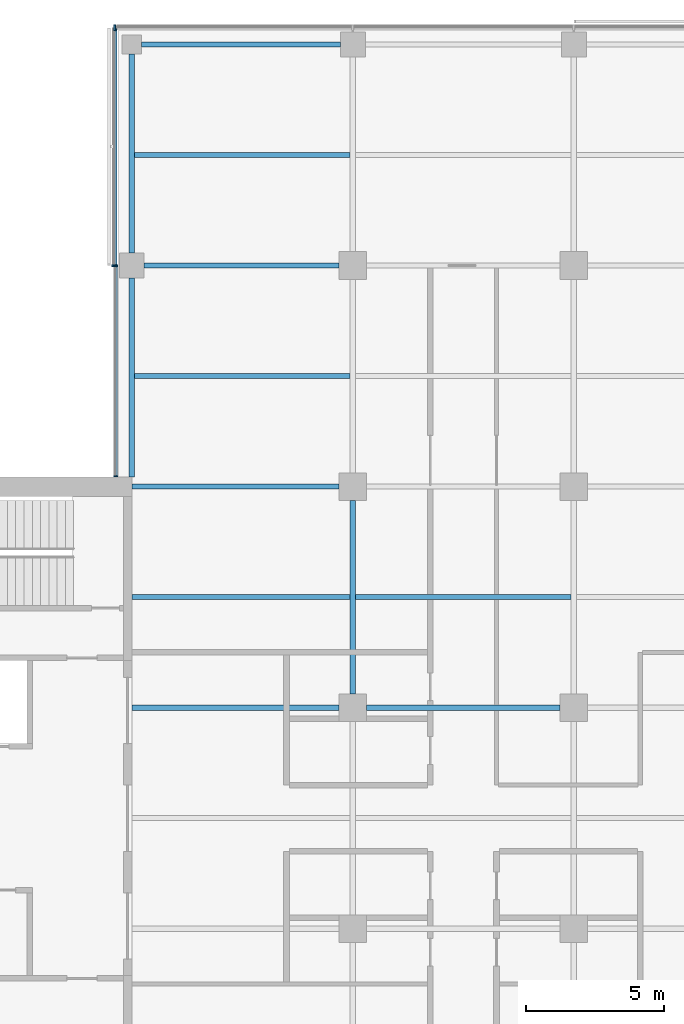
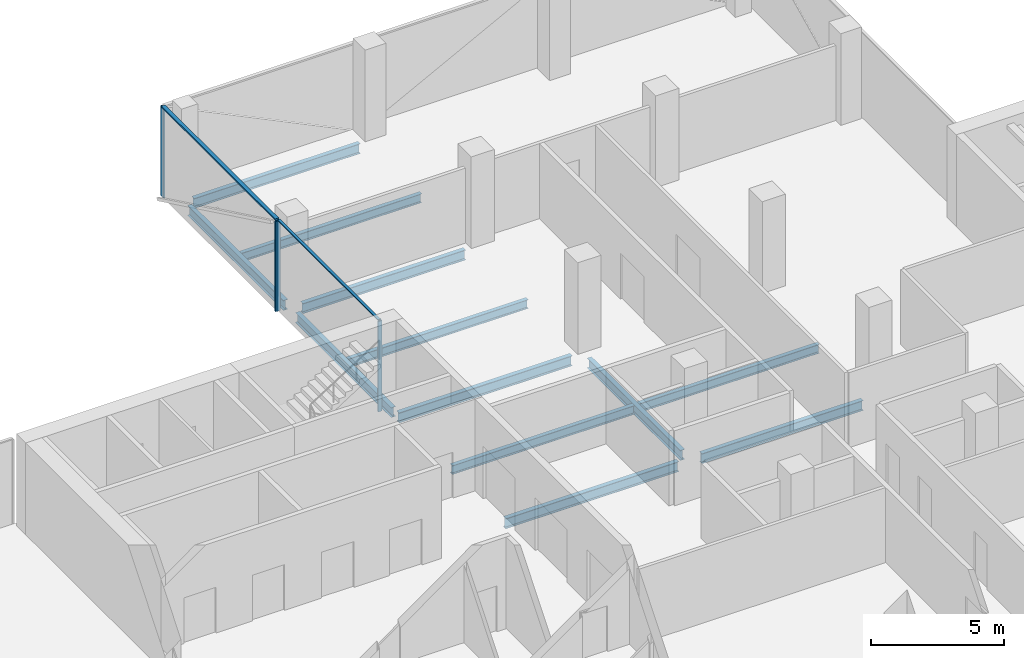
# One storey, part 8 of 22: 12 beams, 6 members, 3 elements without a shape of their own.
"""IFC4 building model written with IfcOpenShell, lengths in metres."""

from ifc_helpers import new_model, si_unit, direction, frame, origin, origin_2d, place, context, subcontext, project, spatial, rectangle, i_section, extrude, material, material_profile, profile_set, type_object, element, aggregate, save


model = new_model("IFC4")

# Units and contexts
model_context = context("Model", 3, precision=1e-05, world=origin(), true_north=direction((0.0, 1.0)))
body_context = subcontext(model_context, "Body", "Model", "MODEL_VIEW")
ifc_project = project(units=[si_unit("LENGTHUNIT", "METRE"), si_unit("AREAUNIT", "SQUARE_METRE"), si_unit("VOLUMEUNIT", "CUBIC_METRE"), si_unit("PLANEANGLEUNIT", "RADIAN"), si_unit("MASSUNIT", "GRAM", prefix="KILO")], contexts=[model_context])

# Site, building, storey
site_placement = place(None, origin())
site = spatial("IfcSite", under=ifc_project, at=site_placement, CompositionType="ELEMENT")
building_placement = place(site_placement, origin())
building = spatial("IfcBuilding", under=site, at=building_placement, Name="Crosswind Convention Tower", CompositionType="ELEMENT")
storey_placement = place(building_placement, frame((0.0, 0.0, 125.300048828125)))
storey = spatial("IfcBuildingStorey", under=building, at=storey_placement, Name="L25", CompositionType="ELEMENT", Elevation=125.300048828125)

# Beams
ifc_material_1 = material(Name="Steel S355", Category="steel")
ifc_material_profile_1 = material_profile(ifc_material_1, i_section(OverallWidth=0.18994140625, OverallDepth=0.45361328125, WebThickness=0.008544921875, FlangeThickness=0.0126953125, FilletRadius=0.01025390625, at=origin_2d()), Name="UB 457x191x67")
ifc_profile_set_1 = profile_set([ifc_material_profile_1], Name="Steel S355")
beam_type_1 = type_object("IfcBeamType", Name="Edge beam UB 457x191x67", PredefinedType="SPANDREL", material=ifc_profile_set_1)
for number, where, z_axis, x_axis, name in (
    (1, (113.0, 112.35009765625, -0.52685546875), (0.0, 1.0, 0.0), (-1.0, 0.0, 0.0), "B16 L25 edge beam 8"),
    (2, (113.0, 120.449951171875, -0.52685546875), (0.0, 1.0, 0.0), (-1.0, 0.0, 0.0), "B16 L25 edge beam 9"),
    (3, (113.35009765625, 128.0, -0.52685546875), (1.0, 0.0, 0.0), (0.0, 1.0, 0.0), "B16 L25 edge beam 11"),
):
    element("IfcBeam", number, at=place(storey_placement, frame(where, z_axis=z_axis, x_axis=x_axis)), inside=storey, type_object=beam_type_1, Name=name, PredefinedType="SPANDREL", context=body_context, shape_type="SweptSolid", body=[
        extrude(i_section(OverallWidth=0.18994140625, OverallDepth=0.45361328125, WebThickness=0.008544921875, FlangeThickness=0.0126953125, FilletRadius=0.01025390625, at=origin_2d()), origin(), (0.0, 0.0, 1.0), 7.199951171875),
    ])
ifc_material_profile_2 = material_profile(ifc_material_1, i_section(OverallWidth=0.19140625, OverallDepth=0.460205078125, WebThickness=0.010009765625, FlangeThickness=0.01611328125, FilletRadius=0.01025390625, at=origin_2d()), Name="UB 457x191x82")
ifc_profile_set_2 = profile_set([ifc_material_profile_2], Name="Steel S355")
beam_type_2 = type_object("IfcBeamType", Name="Girder UB 457x191x82", PredefinedType="BEAM", material=ifc_profile_set_2)
beam_1_placement = place(storey_placement, frame((113.449951171875, 120.0, -0.530029296875), z_axis=(1.0, 0.0, 0.0), x_axis=(0.0, 1.0, 0.0)))
element("IfcBeam", 4, at=beam_1_placement, inside=storey, type_object=beam_type_2, Name="B3 L25 girder 2", PredefinedType="BEAM", context=body_context, shape_type="SweptSolid", body=[
    extrude(i_section(OverallWidth=0.19140625, OverallDepth=0.460205078125, WebThickness=0.010009765625, FlangeThickness=0.01611328125, FilletRadius=0.01025390625, at=origin_2d()), origin(), (0.0, 0.0, 1.0), 7.050048828125),
])
for number, where, z_axis, x_axis, name in (
    (5, (121.0, 104.5, -0.530029296875), (0.0, 1.0, 0.0), (-1.0, 0.0, 0.0), "B3 L25 girder 7"),
    (6, (121.5, 104.0, -0.530029296875), (1.0, 0.0, 0.0), (0.0, 1.0, 0.0), "B3 L25 girder 13"),
):
    element("IfcBeam", number, at=place(storey_placement, frame(where, z_axis=z_axis, x_axis=x_axis)), inside=storey, type_object=beam_type_2, Name=name, PredefinedType="BEAM", context=body_context, shape_type="SweptSolid", body=[
        extrude(i_section(OverallWidth=0.19140625, OverallDepth=0.460205078125, WebThickness=0.010009765625, FlangeThickness=0.01611328125, FilletRadius=0.01025390625, at=origin_2d()), origin(), (0.0, 0.0, 1.0), 7.0),
    ])
ifc_material_profile_3 = material_profile(ifc_material_1, i_section(OverallWidth=0.19189453125, OverallDepth=0.463623046875, WebThickness=0.010498046875, FlangeThickness=0.017578125, FilletRadius=0.01025390625, at=origin_2d()), Name="UB 457x191x90")
ifc_profile_set_3 = profile_set([ifc_material_profile_3], Name="Steel S355")
beam_type_3 = type_object("IfcBeamType", Name="Girder at core wall UB 457x191x90", PredefinedType="BEAM", material=ifc_profile_set_3)
for number, where, z_axis, x_axis, name in (
    (7, (113.0, 104.0, -0.53173828125), (1.0, 0.0, 0.0), (0.0, 1.0, 0.0), "B24 L25 girder at core wall 5"),
    (8, (113.0, 112.0, -0.53173828125), (1.0, 0.0, 0.0), (0.0, 1.0, 0.0), "B24 L25 girder at core wall 6"),
):
    element("IfcBeam", number, at=place(storey_placement, frame(where, z_axis=z_axis, x_axis=x_axis)), inside=storey, type_object=beam_type_3, Name=name, PredefinedType="BEAM", context=body_context, shape_type="SweptSolid", body=[
        extrude(i_section(OverallWidth=0.19189453125, OverallDepth=0.463623046875, WebThickness=0.010498046875, FlangeThickness=0.017578125, FilletRadius=0.01025390625, at=origin_2d()), origin(), (0.0, 0.0, 1.0), 7.5),
    ])

# Curtain wall, members
ifc_material_2 = material(Name="Aluminium unitised curtain wall", Category="aluminium")
curtain_wall_type_1 = type_object("IfcCurtainWallType", Name="CORE END SLOT WALL 160", PredefinedType="USERDEFINED", material=ifc_material_2)
curtain_wall_1_placement = place(storey_placement, origin())
curtain_wall_1 = element("IfcCurtainWall", 9, at=curtain_wall_1_placement, inside=storey, type_object=curtain_wall_type_1, Name="CW6 L25 N-W.1-2 slot", ObjectType="UNITISED", PredefinedType="USERDEFINED")
ifc_material_3 = material(Name="Aluminium mullion", Category="aluminium")
ifc_material_profile_4 = material_profile(ifc_material_3, rectangle(XDim=0.159912109375, YDim=0.050048828125, at=origin_2d()), Name="AL 160X50")
ifc_profile_set_4 = profile_set([ifc_material_profile_4], Name="Aluminium mullion")
member_type_1 = type_object("IfcMemberType", Name="MULLION 50X160", PredefinedType="MULLION", material=ifc_profile_set_4)
member_1_placement = place(storey_placement, frame((112.419921875, 119.97509765625, -0.300048828125), z_axis=(0.0, 0.0, 1.0), x_axis=(-1.0, 0.0, 0.0)))
member_1 = element("IfcMember", 10, at=member_1_placement, type_object=member_type_1, Name="CW6 mullion 1", PredefinedType="MULLION", context=body_context, shape_type="SweptSolid", body=[
    extrude(rectangle(XDim=0.159912109375, YDim=0.050048828125, at=origin_2d()), origin(), (0.0, 0.0, 1.0), 4.14990234375),
])
member_2_placement = place(storey_placement, frame((112.419921875, 112.375, -0.300048828125), z_axis=(0.0, 0.0, 1.0), x_axis=(-1.0, 0.0, 0.0)))
member_2 = element("IfcMember", 11, at=member_2_placement, type_object=member_type_1, Name="CW6 mullion 2", PredefinedType="MULLION", context=body_context, shape_type="SweptSolid", body=[
    extrude(rectangle(XDim=0.159912109375, YDim=0.050048828125, at=origin_2d()), origin(), (0.0, 0.0, 1.0), 4.14990234375),
])

# Curtain wall, member
curtain_wall_type_2 = type_object("IfcCurtainWallType", Name="OFFICE UNITISED WALL 220", PredefinedType="USERDEFINED", material=ifc_material_2)
curtain_wall_2_placement = place(storey_placement, origin())
curtain_wall_2 = element("IfcCurtainWall", 12, at=curtain_wall_2_placement, inside=storey, type_object=curtain_wall_type_2, Name="CW3 L25 N-TIP 1", ObjectType="UNITISED", PredefinedType="USERDEFINED")
ifc_material_profile_5 = material_profile(ifc_material_3, rectangle(XDim=0.219970703125, YDim=0.070068359375, at=origin_2d()), Name="AL 220X70")
ifc_profile_set_5 = profile_set([ifc_material_profile_5], Name="Aluminium mullion")
member_type_2 = type_object("IfcMemberType", Name="MULLION 70X220", PredefinedType="MULLION", material=ifc_profile_set_5)
member_3_placement = place(storey_placement, frame((112.389892578125, 128.610107421875, -0.300048828125), z_axis=(0.0, 0.0, 1.0), x_axis=(0.0, 1.0, 0.0)))
member_3 = element("IfcMember", 13, at=member_3_placement, type_object=member_type_2, Name="CW3 mullion 4", PredefinedType="MULLION", context=body_context, shape_type="SweptSolid", body=[
    extrude(rectangle(XDim=0.219970703125, YDim=0.070068359375, at=origin_2d()), origin(), (0.0, 0.0, 1.0), 4.1298828125),
])
aggregate(curtain_wall_2, [member_3])

curtain_wall_3_placement = place(storey_placement, origin())
curtain_wall_3 = element("IfcCurtainWall", 14, at=curtain_wall_3_placement, inside=storey, type_object=curtain_wall_type_2, Name="CW3 L25 N-W 1", ObjectType="UNITISED", PredefinedType="USERDEFINED")
member_4_placement = place(storey_placement, frame((112.389892578125, 120.0, -0.300048828125), z_axis=(0.0, 0.0, 1.0), x_axis=(-1.0, 0.0, 0.0)))
member_4 = element("IfcMember", 15, at=member_4_placement, type_object=member_type_2, Name="CW3 mullion 2", PredefinedType="MULLION", context=body_context, shape_type="SweptSolid", body=[
    extrude(rectangle(XDim=0.219970703125, YDim=0.070068359375, at=origin_2d()), origin(), (0.0, 0.0, 1.0), 4.1298828125),
])

# Beams
ifc_material_profile_6 = material_profile(ifc_material_1, i_section(OverallWidth=0.177734375, OverallDepth=0.406494140625, WebThickness=0.0078125, FlangeThickness=0.0126953125, FilletRadius=0.01025390625, at=origin_2d()), Name="UB 406x178x60")
ifc_profile_set_6 = profile_set([ifc_material_profile_6], Name="Steel S355")
beam_type_4 = type_object("IfcBeamType", Name="Secondary beam UB 406x178x60", PredefinedType="JOIST", material=ifc_profile_set_6)
beam_2_placement = place(storey_placement, frame((113.0, 108.0, -0.503173828125), z_axis=(1.0, 0.0, 0.0), x_axis=(0.0, 1.0, 0.0)))
element("IfcBeam", 16, at=beam_2_placement, inside=storey, type_object=beam_type_4, Name="B10 L25 secondary beam 6", PredefinedType="JOIST", context=body_context, shape_type="SweptSolid", body=[
    extrude(i_section(OverallWidth=0.177734375, OverallDepth=0.406494140625, WebThickness=0.0078125, FlangeThickness=0.0126953125, FilletRadius=0.01025390625, at=origin_2d()), origin(), (0.0, 0.0, 1.0), 7.904296875),
])
for number, where, z_axis, x_axis, name in (
    (17, (113.094970703125, 116.0, -0.503173828125), (1.0, 0.0, 0.0), (0.0, 1.0, 0.0), "B10 L25 secondary beam 9"),
    (18, (113.094970703125, 124.0, -0.503173828125), (1.0, 0.0, 0.0), (0.0, 1.0, 0.0), "B10 L25 secondary beam 10"),
):
    element("IfcBeam", number, at=place(storey_placement, frame(where, z_axis=z_axis, x_axis=x_axis)), inside=storey, type_object=beam_type_4, Name=name, PredefinedType="JOIST", context=body_context, shape_type="SweptSolid", body=[
        extrude(i_section(OverallWidth=0.177734375, OverallDepth=0.406494140625, WebThickness=0.0078125, FlangeThickness=0.0126953125, FilletRadius=0.01025390625, at=origin_2d()), origin(), (0.0, 0.0, 1.0), 7.809326171875),
    ])
beam_3_placement = place(storey_placement, frame((121.095703125, 108.0, -0.503173828125), z_axis=(1.0, 0.0, 0.0), x_axis=(0.0, 1.0, 0.0)))
element("IfcBeam", 19, at=beam_3_placement, inside=storey, type_object=beam_type_4, Name="B10 L25 secondary beam 15", PredefinedType="JOIST", context=body_context, shape_type="SweptSolid", body=[
    extrude(i_section(OverallWidth=0.177734375, OverallDepth=0.406494140625, WebThickness=0.0078125, FlangeThickness=0.0126953125, FilletRadius=0.01025390625, at=origin_2d()), origin(), (0.0, 0.0, 1.0), 7.80859375),
])

# Member
ifc_material_4 = material(Name="Aluminium transom", Category="aluminium")
ifc_material_profile_7 = material_profile(ifc_material_4, rectangle(XDim=0.1201171875, YDim=0.050048828125, at=origin_2d()), Name="AL 120X50")
ifc_profile_set_7 = profile_set([ifc_material_profile_7], Name="Aluminium transom")
member_type_3 = type_object("IfcMemberType", Name="TRANSOM 50X120", PredefinedType="USERDEFINED", material=ifc_profile_set_7)
member_5_placement = place(storey_placement, frame((112.419921875, 119.949951171875, 3.875), z_axis=(0.0, -1.0, 0.0), x_axis=(1.0, 0.0, 0.0)))
member_5 = element("IfcMember", 20, at=member_5_placement, type_object=member_type_3, Name="CW6 transom", ObjectType="TRANSOM", PredefinedType="USERDEFINED", context=body_context, shape_type="SweptSolid", body=[
    extrude(rectangle(XDim=0.1201171875, YDim=0.050048828125, at=origin_2d()), origin(), (0.0, 0.0, 1.0), 7.550048828125),
])

aggregate(curtain_wall_1, [member_1, member_2, member_5])

ifc_material_profile_8 = material_profile(ifc_material_4, rectangle(XDim=0.159912109375, YDim=0.070068359375, at=origin_2d()), Name="AL 160X70")
ifc_profile_set_8 = profile_set([ifc_material_profile_8], Name="Aluminium transom")
member_type_4 = type_object("IfcMemberType", Name="TRANSOM 70X160", PredefinedType="USERDEFINED", material=ifc_profile_set_8)
member_6_placement = place(storey_placement, frame((112.389892578125, 128.574951171875, 3.864990234375), z_axis=(0.0, -1.0, 0.0), x_axis=(1.0, 0.0, 0.0)))
member_6 = element("IfcMember", 21, at=member_6_placement, type_object=member_type_4, Name="CW3 transom", ObjectType="TRANSOM", PredefinedType="USERDEFINED", context=body_context, shape_type="SweptSolid", body=[
    extrude(rectangle(XDim=0.159912109375, YDim=0.070068359375, at=origin_2d()), origin(), (0.0, 0.0, 1.0), 8.5400390625),
])

aggregate(curtain_wall_3, [member_4, member_6])

save(model, "model.ifc")
